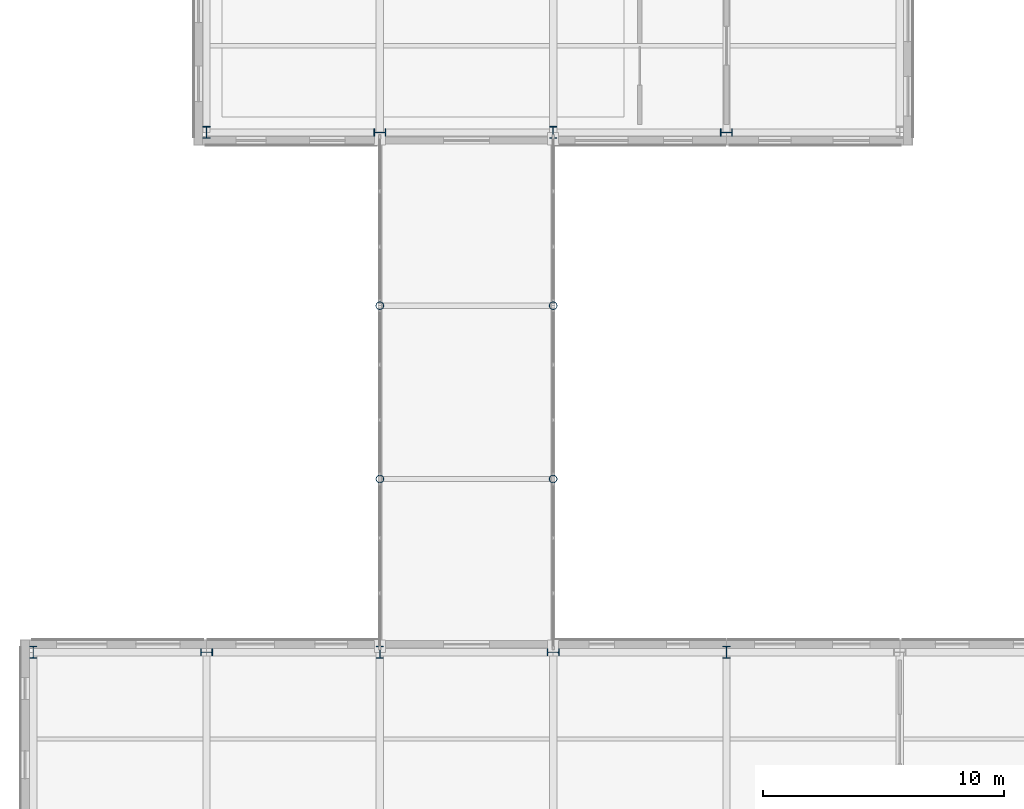
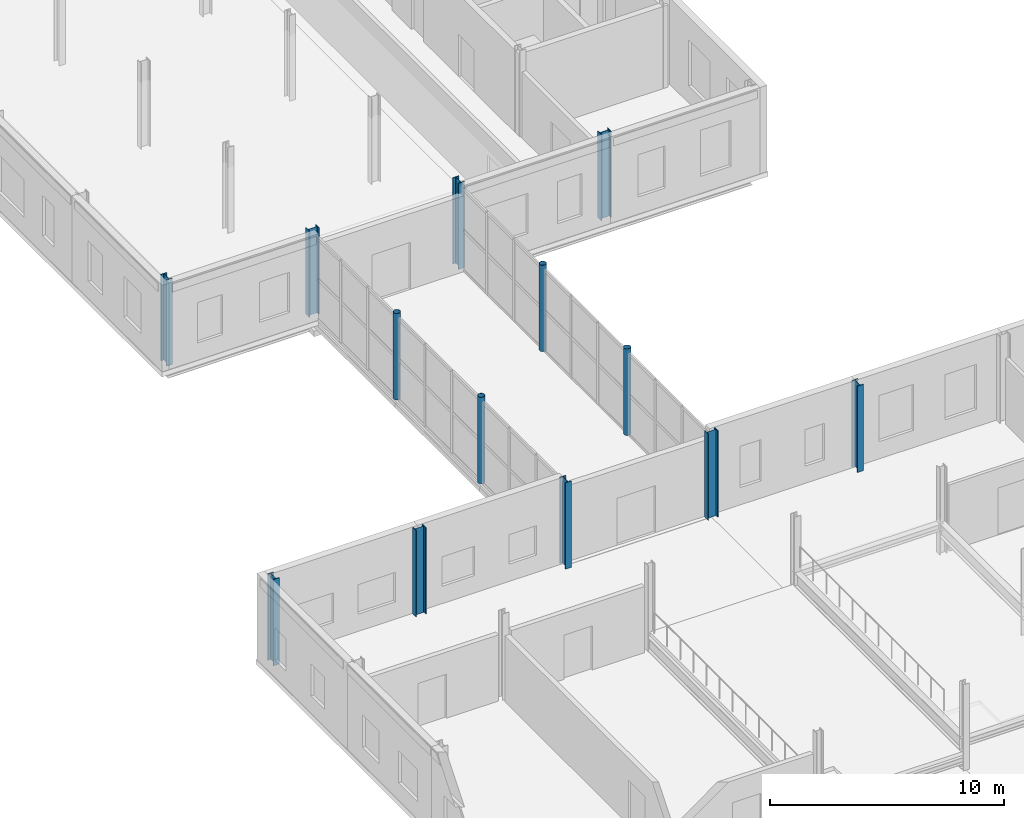
# One storey, part 3 of 92: 13 columns.
"""IFC4 building model written with IfcOpenShell, lengths in metres."""

from ifc_helpers import new_model, si_unit, direction, frame, origin, origin_2d, place, context, subcontext, project, spatial, hollow_circle, i_section, extrude, material, material_profile, profile_set, type_object, element, save


model = new_model("IFC4")

# Units and contexts
model_context = context("Model", 3, precision=1e-05, world=origin(), true_north=direction((0.0, 1.0)))
body_context = subcontext(model_context, "Body", "Model", "MODEL_VIEW")
ifc_project = project(units=[si_unit("LENGTHUNIT", "METRE"), si_unit("AREAUNIT", "SQUARE_METRE"), si_unit("VOLUMEUNIT", "CUBIC_METRE"), si_unit("PLANEANGLEUNIT", "RADIAN"), si_unit("MASSUNIT", "GRAM", prefix="KILO")], contexts=[model_context])

# Site, building, storey
site_placement = place(None, origin())
site = spatial("IfcSite", under=ifc_project, at=site_placement, CompositionType="ELEMENT")
building_placement = place(site_placement, origin())
building = spatial("IfcBuilding", under=site, at=building_placement, Name="Zlatovets Crest Museum", CompositionType="ELEMENT")
storey_placement = place(building_placement, origin())
storey = spatial("IfcBuildingStorey", under=building, at=storey_placement, Name="L00", CompositionType="ELEMENT", Elevation=0.0)

# Columns
ifc_material = material(Name="Structural steel S355J2", Category="steel")
ifc_material_profile_1 = material_profile(ifc_material, i_section(OverallWidth=0.300048828125, OverallDepth=0.5, WebThickness=0.014404296875, FlangeThickness=0.028076171875, FilletRadius=0.027099609375, at=origin_2d()), Name="HEB 500")
ifc_profile_set_1 = profile_set([ifc_material_profile_1], Name="Structural steel S355J2")
column_type_1 = type_object("IfcColumnType", Name="Col_C-05", PredefinedType="COLUMN", material=ifc_profile_set_1)
for number, where, z_axis, x_axis, name in (
    (1, (0.0, 28.800048828125, 0.0), (0.0, 0.0, 1.0), (1.0, 0.0, 0.0), "V3 L00 Column (0.0, 28.8)"),
    (2, (7.199951171875, 28.800048828125, 0.0), (0.0, 0.0, 1.0), (0.0, 1.0, 0.0), "V3 L00 Column (7.2, 28.8)"),
    (3, (14.39990234375, 28.800048828125, 0.0), (0.0, 0.0, 1.0), (1.0, 0.0, 0.0), "V3 L00 Column (14.4, 28.8)"),
    (4, (21.60009765625, 28.800048828125, 0.0), (0.0, 0.0, 1.0), (0.0, 1.0, 0.0), "V3 L00 Column (21.6, 28.8)"),
    (5, (28.800048828125, 28.800048828125, 0.0), (0.0, 0.0, 1.0), (1.0, 0.0, 0.0), "V3 L00 Column (28.8, 28.8)"),
    (6, (7.199951171875, 50.39990234375, 0.0), (0.0, 0.0, 1.0), (1.0, 0.0, 0.0), "V4 L00 Column (7.2, 50.4)"),
    (7, (14.39990234375, 50.39990234375, 0.0), (0.0, 0.0, 1.0), (0.0, 1.0, 0.0), "V4 L00 Column (14.4, 50.4)"),
    (8, (21.60009765625, 50.39990234375, 0.0), (0.0, 0.0, 1.0), (1.0, 0.0, 0.0), "V4 L00 Column (21.6, 50.4)"),
    (9, (28.800048828125, 50.39990234375, 0.0), (0.0, 0.0, 1.0), (0.0, 1.0, 0.0), "V4 L00 Column (28.8, 50.4)"),
):
    element("IfcColumn", number, at=place(storey_placement, frame(where, z_axis=z_axis, x_axis=x_axis)), inside=storey, type_object=column_type_1, Name=name, PredefinedType="COLUMN", context=body_context, shape_type="SweptSolid", body=[
        extrude(i_section(OverallWidth=0.300048828125, OverallDepth=0.5, WebThickness=0.014404296875, FlangeThickness=0.028076171875, FilletRadius=0.027099609375, at=origin_2d()), origin(), (0.0, 0.0, 1.0), 4.5),
    ])
ifc_material_profile_2 = material_profile(ifc_material, hollow_circle(Radius=0.161865234375, WallThickness=0.012451171875, at=origin_2d()), Name="CHS 323.9x12.5")
ifc_profile_set_2 = profile_set([ifc_material_profile_2], Name="Structural steel S355J2")
column_type_2 = type_object("IfcColumnType", Name="Col_C-13", PredefinedType="COLUMN", material=ifc_profile_set_2)
for number, where, z_axis, x_axis, name in (
    (10, (14.39990234375, 36.0, 0.0), (0.0, 0.0, 1.0), (1.0, 0.0, 0.0), "West Hillside Glazed Link Bridge Portal Column"),
    (11, (21.60009765625, 36.0, 0.0), (0.0, 0.0, 1.0), (1.0, 0.0, 0.0), "West Hillside Glazed Link Bridge Portal Column"),
    (12, (14.39990234375, 43.199951171875, 0.0), (0.0, 0.0, 1.0), (1.0, 0.0, 0.0), "West Hillside Glazed Link Bridge Portal Column"),
    (13, (21.60009765625, 43.199951171875, 0.0), (0.0, 0.0, 1.0), (1.0, 0.0, 0.0), "West Hillside Glazed Link Bridge Portal Column"),
):
    element("IfcColumn", number, at=place(storey_placement, frame(where, z_axis=z_axis, x_axis=x_axis)), inside=storey, type_object=column_type_2, Name=name, PredefinedType="COLUMN", context=body_context, shape_type="SweptSolid", body=[
        extrude(hollow_circle(Radius=0.161865234375, WallThickness=0.012451171875, at=origin_2d()), origin(), (0.0, 0.0, 1.0), 4.5),
    ])

save(model, "model.ifc")
